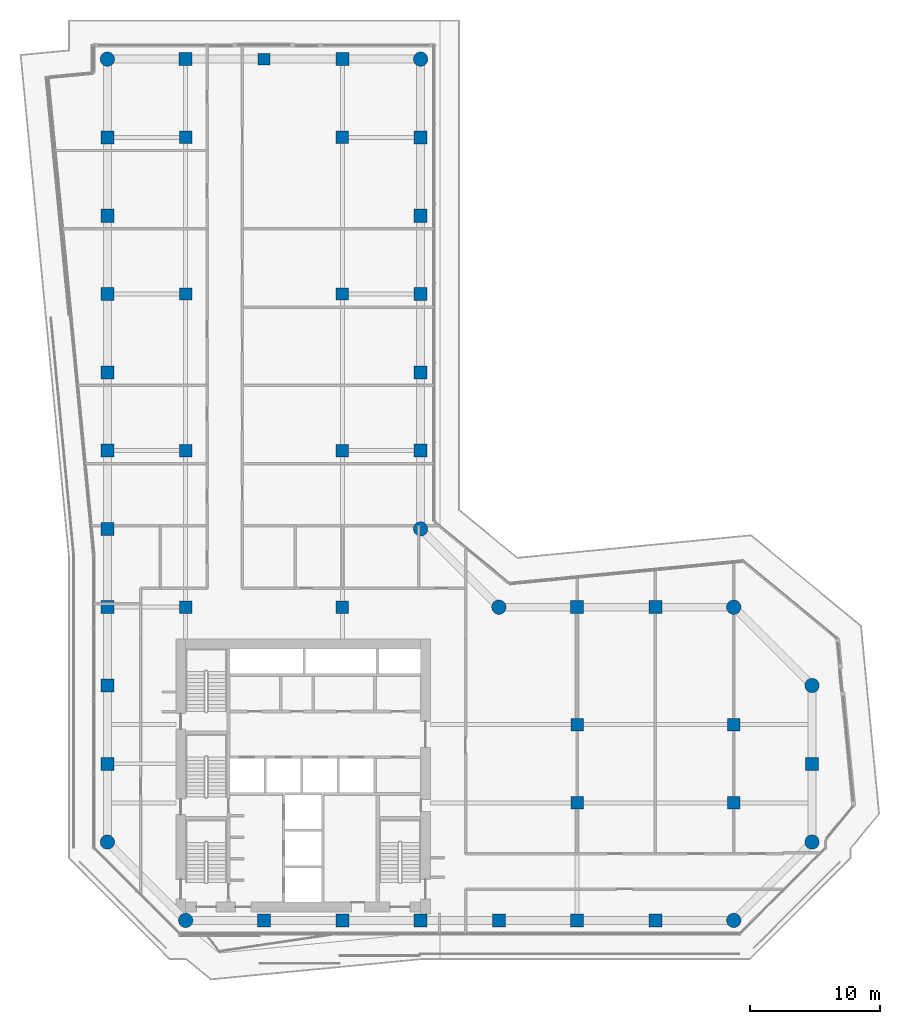
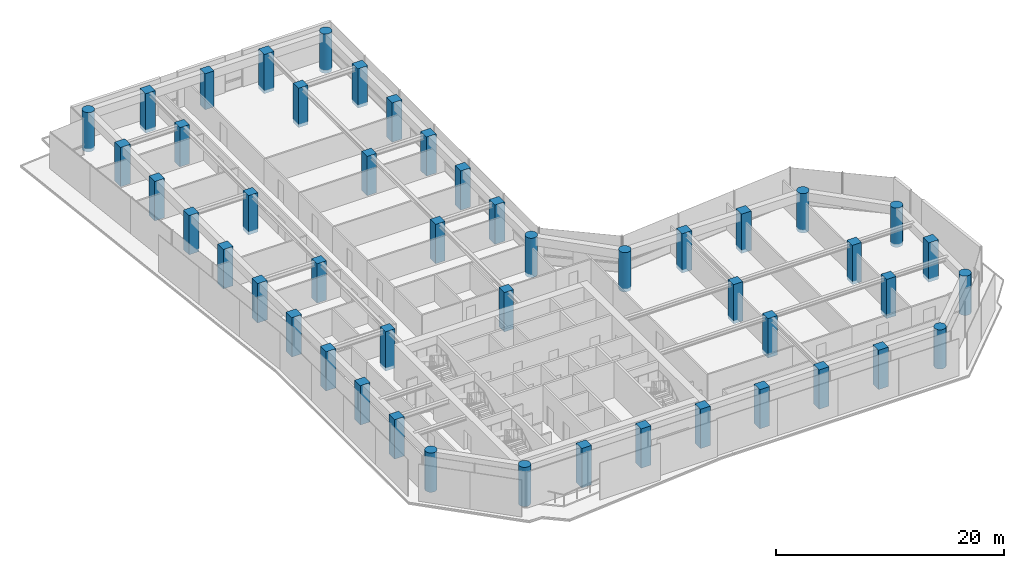
# One storey, part 1 of 28: 48 columns.
"""IFC4 building model written with IfcOpenShell, lengths in metres."""

import ifcopenshell
import ifcopenshell.guid

model = None  # the IFC model being written
_history = None  # IfcOwnerHistory: only IFC2X3 demands one
_inside = {}  # id of a spatial element -> (the spatial element, [elements in it])
_under = {}  # id of a project, library or spatial element -> (it, [spatial elements below it])
_declared = {}  # id of a project -> (the project, [libraries it declares])
_typed = {}  # id of a type object -> (the type object, [elements of that type])
_made_of = {}  # id of a material, layer set ... -> (it, [elements and type objects made of it])


def new_model(schema):
    """Start an empty IFC model of exactly this schema.

    Asked for "IFC4X3", IfcOpenShell would pick the latest addendum, in which some entities
    have other attributes; the version numbers below select the first issue.
    IFC2X3 requires an IfcOwnerHistory on every rooted entity: one is made here for all.
    """
    global model, _history
    if schema == "IFC4X3":
        model = ifcopenshell.file(schema_version=(4, 3, 0, 0))
    else:
        model = ifcopenshell.file(schema=schema)
    _inside.clear()
    _under.clear()
    _declared.clear()
    _typed.clear()
    _made_of.clear()
    _history = None
    if model.schema == "IFC2X3":
        org = make("IfcOrganization", Name="unknown")
        user = make(
            "IfcPersonAndOrganization",
            ThePerson=make("IfcPerson", FamilyName="unknown"),
            TheOrganization=org,
        )
        app = make(
            "IfcApplication",
            ApplicationDeveloper=org,
            Version="unknown",
            ApplicationFullName="unknown",
            ApplicationIdentifier="unknown",
        )
        _history = make(
            "IfcOwnerHistory",
            OwningUser=user,
            OwningApplication=app,
            ChangeAction="ADDED",
            CreationDate=0,
        )
    return model


def make(cls, **values):
    """One entity of the class cls with the attributes given. An attribute that is None is left unset."""
    return model.create_entity(
        cls, **{name: value for name, value in values.items() if value is not None}
    )


def rooted(cls, **values):
    """An entity with a GlobalId (a new one), such as an element, a storey or a relation."""
    return make(cls, GlobalId=ifcopenshell.guid.new(), OwnerHistory=_history, **values)


def si_unit(unit_type, name, prefix=None):
    """IfcSIUnit, for example si_unit("LENGTHUNIT", "METRE", prefix="MILLI")."""
    return make("IfcSIUnit", UnitType=unit_type, Prefix=prefix, Name=name)


def assignment(units):
    """IfcUnitAssignment: the units of a project."""
    return None if units is None else make("IfcUnitAssignment", Units=units)


def point(xyz):
    """IfcCartesianPoint."""
    return None if xyz is None else make("IfcCartesianPoint", Coordinates=xyz)


def direction(xyz):
    """IfcDirection."""
    return None if xyz is None else make("IfcDirection", DirectionRatios=xyz)


def frame(location, z_axis=None, x_axis=None):
    """IfcAxis2Placement3D, a coordinate frame: its origin and axes. An axis left out is left unset."""
    return make(
        "IfcAxis2Placement3D",
        Location=point(location),
        Axis=direction(z_axis),
        RefDirection=direction(x_axis),
    )


def frame_2d(location, x_axis=None):
    """IfcAxis2Placement2D, a coordinate frame in the plane: its origin and x axis."""
    return make(
        "IfcAxis2Placement2D", Location=point(location), RefDirection=direction(x_axis)
    )


def origin():
    """The frame at (0, 0, 0) with its axes left unset."""
    return frame((0.0, 0.0, 0.0))


def origin_2d():
    """The frame at (0, 0) in the plane with its x axis left unset."""
    return frame_2d((0.0, 0.0))


def place(relative_to, where):
    """IfcLocalPlacement: puts the frame where relative to a parent placement (None: the world)."""
    return make(
        "IfcLocalPlacement", PlacementRelTo=relative_to, RelativePlacement=where
    )


def context(
    kind, dimensions, precision=None, world=None, true_north=None, identifier=None
):
    """IfcGeometricRepresentationContext, for example the 3D "Model" context."""
    return make(
        "IfcGeometricRepresentationContext",
        ContextIdentifier=identifier,
        ContextType=kind,
        CoordinateSpaceDimension=dimensions,
        Precision=precision,
        WorldCoordinateSystem=world,
        TrueNorth=true_north,
    )


def subcontext(parent, identifier, kind, view, scale=None):
    """IfcGeometricRepresentationSubContext, for example "Body" below "Model"."""
    return make(
        "IfcGeometricRepresentationSubContext",
        ContextIdentifier=identifier,
        ContextType=kind,
        ParentContext=parent,
        TargetScale=scale,
        TargetView=view,
    )


def project(units=None, contexts=None):
    """IfcProject with its units and contexts."""
    return rooted(
        "IfcProject",
        Name="project",
        RepresentationContexts=contexts,
        UnitsInContext=assignment(units),
    )


def spatial(cls, under=None, at=None, **own):
    """A site, building, storey or space (cls), placed at a placement, below another one or the project."""
    s = rooted(cls, ObjectPlacement=at, **own)
    if under is not None:
        _under.setdefault(under.id(), (under, []))[1].append(s)
    return s


def profile(cls, at=None, kind="AREA", **sizes):
    """A parametric profile (cls). Its sizes go by their IFC names, for example OverallWidth=200.0."""
    return make(cls, ProfileType=kind, Position=at, **sizes)


def rectangle(**sizes):
    """IfcRectangleProfileDef."""
    return profile("IfcRectangleProfileDef", **sizes)


def circle(**sizes):
    """IfcCircleProfileDef."""
    return profile("IfcCircleProfileDef", **sizes)


def extrude(swept, where, along, depth):
    """IfcExtrudedAreaSolid: the profile swept, set in the frame where, extruded along a direction by depth."""
    return make(
        "IfcExtrudedAreaSolid",
        SweptArea=swept,
        Position=where,
        ExtrudedDirection=direction(along),
        Depth=depth,
    )


def shape(context_of_items, identifier, shape_type, items):
    """IfcShapeRepresentation: the items that make up one representation, for example the "Body"."""
    return make(
        "IfcShapeRepresentation",
        ContextOfItems=context_of_items,
        RepresentationIdentifier=identifier,
        RepresentationType=shape_type,
        Items=items,
    )


def material(Name=None, Category=None):
    """IfcMaterial."""
    return make("IfcMaterial", Name=Name, Category=Category)


def material_profile(
    of_material, cross_section, Name=None, Category=None, Priority=None
):
    """IfcMaterialProfile: a cross section and its material."""
    return make(
        "IfcMaterialProfile",
        Name=Name,
        Material=of_material,
        Profile=cross_section,
        Priority=Priority,
        Category=Category,
    )


def profile_set(profiles, Name=None, composite=None):
    """IfcMaterialProfileSet."""
    return make(
        "IfcMaterialProfileSet",
        Name=Name,
        MaterialProfiles=profiles,
        CompositeProfile=composite,
    )


def made_of(thing, what):
    """Note that an element or type object is made of a material, layer set ...; save() writes the relation."""
    if what is not None:
        _made_of.setdefault(what.id(), (what, []))[1].append(thing)
    return thing


def type_object(cls, material=None, **own):
    """A type object (cls), such as IfcWallType, which elements share."""
    return made_of(rooted(cls, **own), material)


def element(
    cls,
    number,
    at=None,
    inside=None,
    cuts=None,
    type_object=None,
    material=None,
    context=None,
    identifier="Body",
    shape_type=None,
    held_by="IfcProductDefinitionShape",
    body=None,
    shapes=None,
    **own,
):
    """One element of the class cls, such as IfcWall. Its Tag is "e" and its number.

    at: its placement. inside: the storey or other place that contains it. cuts: it is an
    opening in that element (IfcRelVoidsElement). A single representation is given by context,
    identifier, shape_type and body (its items); several are given by shapes. held_by: the class
    of the entity that holds the representations. save() writes the other relations.
    """
    e = rooted(cls, Tag="e%d" % number, ObjectPlacement=at, **own)
    if body is not None:
        shapes = [shape(context, identifier, shape_type, body)]
    if shapes is not None:
        e.Representation = make(held_by, Representations=shapes)
    if inside is not None:
        _inside.setdefault(inside.id(), (inside, []))[1].append(e)
    if cuts is not None:
        rooted(
            "IfcRelVoidsElement", RelatingBuildingElement=cuts, RelatedOpeningElement=e
        )
    if type_object is not None:
        _typed.setdefault(type_object.id(), (type_object, []))[1].append(e)
    return made_of(e, material)


def aggregate(whole, parts):
    """IfcRelAggregates: a whole, such as a stair, and the parts it consists of."""
    return rooted("IfcRelAggregates", RelatingObject=whole, RelatedObjects=parts)


def save(model, path):
    """Write the relations noted so far, then the file.

    IfcRelAggregates (storeys below a building ...), IfcRelContainedInSpatialStructure (elements
    in a storey), IfcRelDefinesByType, IfcRelAssociatesMaterial and IfcRelDeclares: one each for
    every whole, place, type object, material and project.
    """
    for whole, parts in _under.values():
        aggregate(whole, parts)
    for where, things in _inside.values():
        rooted(
            "IfcRelContainedInSpatialStructure",
            RelatedElements=things,
            RelatingStructure=where,
        )
    for kind, things in _typed.values():
        rooted("IfcRelDefinesByType", RelatedObjects=things, RelatingType=kind)
    for what, things in _made_of.values():
        rooted("IfcRelAssociatesMaterial", RelatedObjects=things, RelatingMaterial=what)
    for by, libraries in _declared.values():
        rooted("IfcRelDeclares", RelatingContext=by, RelatedDefinitions=libraries)
    model.write(path)


model = new_model("IFC4")

# Units and contexts
model_context = context("Model", 3, precision=1e-05, world=origin(), true_north=direction((0.0, 1.0)))
body_context = subcontext(model_context, "Body", "Model", "MODEL_VIEW")
ifc_project = project(units=[si_unit("LENGTHUNIT", "METRE"), si_unit("AREAUNIT", "SQUARE_METRE"), si_unit("VOLUMEUNIT", "CUBIC_METRE"), si_unit("PLANEANGLEUNIT", "RADIAN"), si_unit("MASSUNIT", "GRAM", prefix="KILO")], contexts=[model_context])

# Site, building, storey
site_placement = place(None, origin())
site = spatial("IfcSite", under=ifc_project, at=site_placement, CompositionType="ELEMENT")
building_placement = place(site_placement, origin())
building = spatial("IfcBuilding", under=site, at=building_placement, Name="Welwitschia Terrace Campus", CompositionType="ELEMENT")
storey_placement = place(building_placement, frame((0.0, 0.0, 87.800048828125)))
storey = spatial("IfcBuildingStorey", under=building, at=storey_placement, Name="L19", CompositionType="ELEMENT", Elevation=87.800048828125)

# Columns
ifc_material_1 = material(Name="Concrete C60/75", Category="concrete")
ifc_material_profile_1 = material_profile(ifc_material_1, circle(Radius=0.550048828125, at=origin_2d()))
ifc_profile_set_1 = profile_set([ifc_material_profile_1], Name="Concrete C60/75")
column_type_1 = type_object("IfcColumnType", Name="Corner column 1100 dia on truss", PredefinedType="COLUMN", material=ifc_profile_set_1)
for number, where, z_axis, x_axis, name in (
    (1, (0.0, 10.0, -0.35009765625), (0.0, 0.0, 1.0), (1.0, 0.0, 0.0), "Column C11"),
    (2, (0.0, 70.0, -0.35009765625), (0.0, 0.0, 1.0), (1.0, 0.0, 0.0), "Column C11"),
    (3, (6.0, 4.0, -0.35009765625), (0.0, 0.0, 1.0), (1.0, 0.0, 0.0), "Column C11"),
    (4, (24.0, 34.0, -0.35009765625), (0.0, 0.0, 1.0), (1.0, 0.0, 0.0), "Column C11"),
    (5, (24.0, 70.0, -0.35009765625), (0.0, 0.0, 1.0), (1.0, 0.0, 0.0), "Column C11"),
    (6, (30.0, 28.0, -0.35009765625), (0.0, 0.0, 1.0), (1.0, 0.0, 0.0), "Column C11"),
    (7, (48.0, 4.0, -0.35009765625), (0.0, 0.0, 1.0), (1.0, 0.0, 0.0), "Column C11"),
    (8, (48.0, 28.0, -0.35009765625), (0.0, 0.0, 1.0), (1.0, 0.0, 0.0), "Column C11"),
    (9, (54.0, 10.0, -0.35009765625), (0.0, 0.0, 1.0), (1.0, 0.0, 0.0), "Column C11"),
    (10, (54.0, 22.0, -0.35009765625), (0.0, 0.0, 1.0), (1.0, 0.0, 0.0), "Column C11"),
):
    element("IfcColumn", number, at=place(storey_placement, frame(where, z_axis=z_axis, x_axis=x_axis)), inside=storey, type_object=column_type_1, Name=name, PredefinedType="COLUMN", context=body_context, shape_type="SweptSolid", body=[
        extrude(circle(Radius=0.550048828125, at=origin_2d()), origin(), (0.0, 0.0, 1.0), 4.199951171875),
    ])
ifc_material_2 = material(Name="Concrete C60/75", Category="concrete")
ifc_material_profile_2 = material_profile(ifc_material_2, rectangle(XDim=0.949951171875, YDim=0.949951171875, at=origin_2d()))
ifc_profile_set_2 = profile_set([ifc_material_profile_2], Name="Concrete C60/75")
column_type_2 = type_object("IfcColumnType", Name="Interior column 950x950 on truss", PredefinedType="COLUMN", material=ifc_profile_set_2)
for number, where, z_axis, x_axis, name in (
    (11, (6.0, 28.0, -0.35009765625), (0.0, 0.0, 1.0), (1.0, 0.0, 0.0), "Column C13"),
    (12, (6.0, 40.0, -0.35009765625), (0.0, 0.0, 1.0), (1.0, 0.0, 0.0), "Column C13"),
    (13, (6.0, 52.0, -0.35009765625), (0.0, 0.0, 1.0), (1.0, 0.0, 0.0), "Column C13"),
    (14, (6.0, 64.0, -0.35009765625), (0.0, 0.0, 1.0), (1.0, 0.0, 0.0), "Column C13"),
    (15, (18.0, 28.0, -0.35009765625), (0.0, 0.0, 1.0), (1.0, 0.0, 0.0), "Column C13"),
    (16, (18.0, 40.0, -0.35009765625), (0.0, 0.0, 1.0), (1.0, 0.0, 0.0), "Column C13"),
    (17, (18.0, 52.0, -0.35009765625), (0.0, 0.0, 1.0), (1.0, 0.0, 0.0), "Column C13"),
    (18, (18.0, 64.0, -0.35009765625), (0.0, 0.0, 1.0), (1.0, 0.0, 0.0), "Column C13"),
    (19, (36.0, 13.0, -0.35009765625), (0.0, 0.0, 1.0), (1.0, 0.0, 0.0), "Column C13"),
    (20, (36.0, 19.0, -0.35009765625), (0.0, 0.0, 1.0), (1.0, 0.0, 0.0), "Column C13"),
    (21, (48.0, 13.0, -0.35009765625), (0.0, 0.0, 1.0), (1.0, 0.0, 0.0), "Column C13"),
    (22, (48.0, 19.0, -0.35009765625), (0.0, 0.0, 1.0), (1.0, 0.0, 0.0), "Column C13"),
):
    element("IfcColumn", number, at=place(storey_placement, frame(where, z_axis=z_axis, x_axis=x_axis)), inside=storey, type_object=column_type_2, Name=name, PredefinedType="COLUMN", context=body_context, shape_type="SweptSolid", body=[
        extrude(rectangle(XDim=0.949951171875, YDim=0.949951171875, at=origin_2d()), origin(), (0.0, 0.0, 1.0), 4.199951171875),
    ])
ifc_material_3 = material(Name="Concrete C60/75", Category="concrete")
ifc_material_profile_3 = material_profile(ifc_material_3, rectangle(XDim=1.0, YDim=1.0, at=origin_2d()))
ifc_profile_set_3 = profile_set([ifc_material_profile_3], Name="Concrete C60/75")
column_type_3 = type_object("IfcColumnType", Name="Ring column 1000x1000 on truss", PredefinedType="COLUMN", material=ifc_profile_set_3)
for number, where, z_axis, x_axis, name in (
    (23, (0.0, 16.0, -0.35009765625), (0.0, 0.0, 1.0), (1.0, 0.0, 0.0), "Column C12"),
    (24, (0.0, 22.0, -0.35009765625), (0.0, 0.0, 1.0), (1.0, 0.0, 0.0), "Column C12"),
    (25, (0.0, 28.0, -0.35009765625), (0.0, 0.0, 1.0), (1.0, 0.0, 0.0), "Column C12"),
    (26, (0.0, 34.0, -0.35009765625), (0.0, 0.0, 1.0), (1.0, 0.0, 0.0), "Column C12"),
    (27, (0.0, 40.0, -0.35009765625), (0.0, 0.0, 1.0), (1.0, 0.0, 0.0), "Column C12"),
    (28, (0.0, 46.0, -0.35009765625), (0.0, 0.0, 1.0), (1.0, 0.0, 0.0), "Column C12"),
    (29, (0.0, 52.0, -0.35009765625), (0.0, 0.0, 1.0), (1.0, 0.0, 0.0), "Column C12"),
    (30, (0.0, 58.0, -0.35009765625), (0.0, 0.0, 1.0), (1.0, 0.0, 0.0), "Column C12"),
    (31, (0.0, 64.0, -0.35009765625), (0.0, 0.0, 1.0), (1.0, 0.0, 0.0), "Column C12"),
    (32, (6.0, 70.0, -0.35009765625), (0.0, 0.0, 1.0), (1.0, 0.0, 0.0), "Column C12"),
    (33, (12.0, 4.0, -0.35009765625), (0.0, 0.0, 1.0), (1.0, 0.0, 0.0), "Column C12"),
    (34, (18.0, 4.0, -0.35009765625), (0.0, 0.0, 1.0), (1.0, 0.0, 0.0), "Column C12"),
    (35, (18.0, 70.0, -0.35009765625), (0.0, 0.0, 1.0), (1.0, 0.0, 0.0), "Column C12"),
    (36, (24.0, 4.0, -0.35009765625), (0.0, 0.0, 1.0), (1.0, 0.0, 0.0), "Column C12"),
    (37, (24.0, 40.0, -0.35009765625), (0.0, 0.0, 1.0), (1.0, 0.0, 0.0), "Column C12"),
    (38, (24.0, 46.0, -0.35009765625), (0.0, 0.0, 1.0), (1.0, 0.0, 0.0), "Column C12"),
    (39, (24.0, 52.0, -0.35009765625), (0.0, 0.0, 1.0), (1.0, 0.0, 0.0), "Column C12"),
    (40, (24.0, 58.0, -0.35009765625), (0.0, 0.0, 1.0), (1.0, 0.0, 0.0), "Column C12"),
    (41, (24.0, 64.0, -0.35009765625), (0.0, 0.0, 1.0), (1.0, 0.0, 0.0), "Column C12"),
    (42, (30.0, 4.0, -0.35009765625), (0.0, 0.0, 1.0), (1.0, 0.0, 0.0), "Column C12"),
    (43, (36.0, 4.0, -0.35009765625), (0.0, 0.0, 1.0), (1.0, 0.0, 0.0), "Column C12"),
    (44, (36.0, 28.0, -0.35009765625), (0.0, 0.0, 1.0), (1.0, 0.0, 0.0), "Column C12"),
    (45, (42.0, 4.0, -0.35009765625), (0.0, 0.0, 1.0), (1.0, 0.0, 0.0), "Column C12"),
    (46, (42.0, 28.0, -0.35009765625), (0.0, 0.0, 1.0), (1.0, 0.0, 0.0), "Column C12"),
    (47, (54.0, 16.0, -0.35009765625), (0.0, 0.0, 1.0), (1.0, 0.0, 0.0), "Column C12"),
):
    element("IfcColumn", number, at=place(storey_placement, frame(where, z_axis=z_axis, x_axis=x_axis)), inside=storey, type_object=column_type_3, Name=name, PredefinedType="COLUMN", context=body_context, shape_type="SweptSolid", body=[
        extrude(rectangle(XDim=1.0, YDim=1.0, at=origin_2d()), origin(), (0.0, 0.0, 1.0), 4.199951171875),
    ])
ifc_material_4 = material(Name="Concrete C60/75", Category="concrete")
ifc_material_profile_4 = material_profile(ifc_material_4, rectangle(XDim=0.89990234375, YDim=0.89990234375, at=origin_2d()))
ifc_profile_set_4 = profile_set([ifc_material_profile_4], Name="Concrete C60/75")
column_type_4 = type_object("IfcColumnType", Name="Ring column 900x900", PredefinedType="COLUMN", material=ifc_profile_set_4)
column_placement = place(storey_placement, frame((12.0, 70.0, 0.0), z_axis=(0.0, 0.0, 1.0), x_axis=(1.0, 0.0, 0.0)))
element("IfcColumn", 48, at=column_placement, inside=storey, type_object=column_type_4, Name="Column C14", PredefinedType="COLUMN", context=body_context, shape_type="SweptSolid", body=[
    extrude(rectangle(XDim=0.89990234375, YDim=0.89990234375, at=origin_2d()), origin(), (0.0, 0.0, 1.0), 3.849853515625),
])

save(model, "model.ifc")
